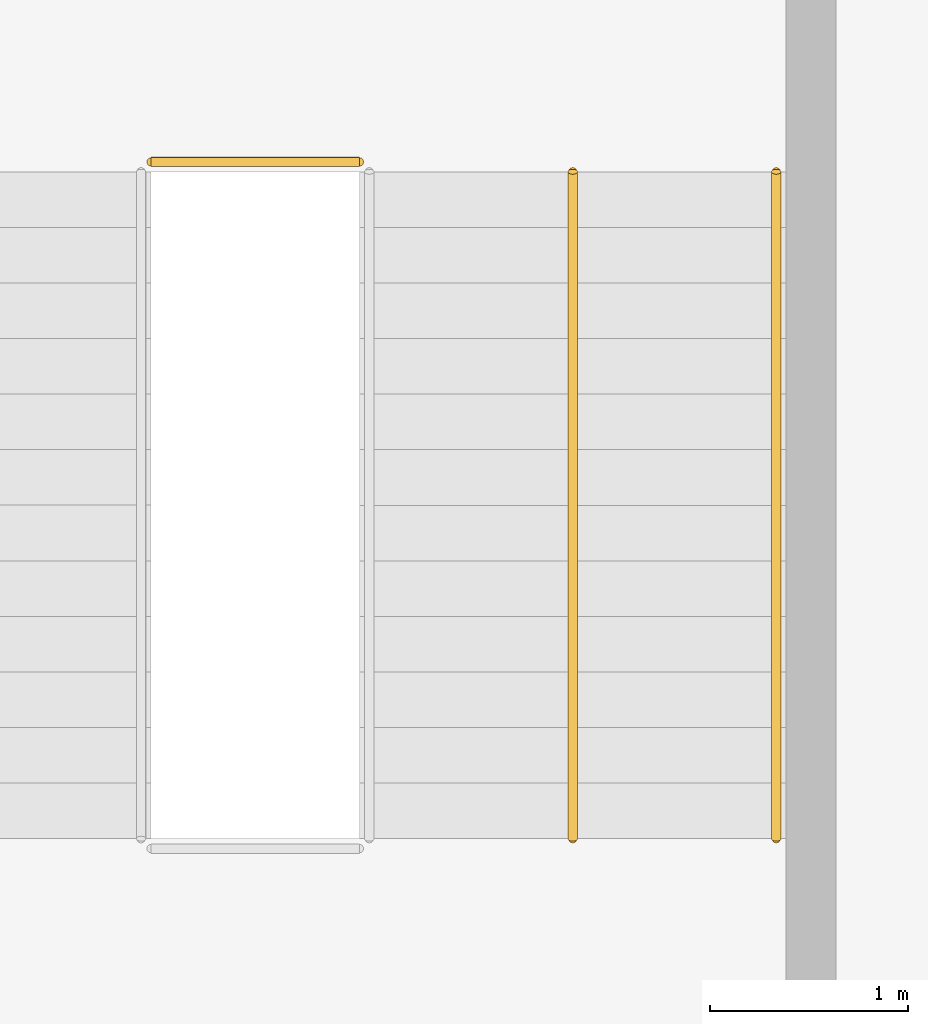
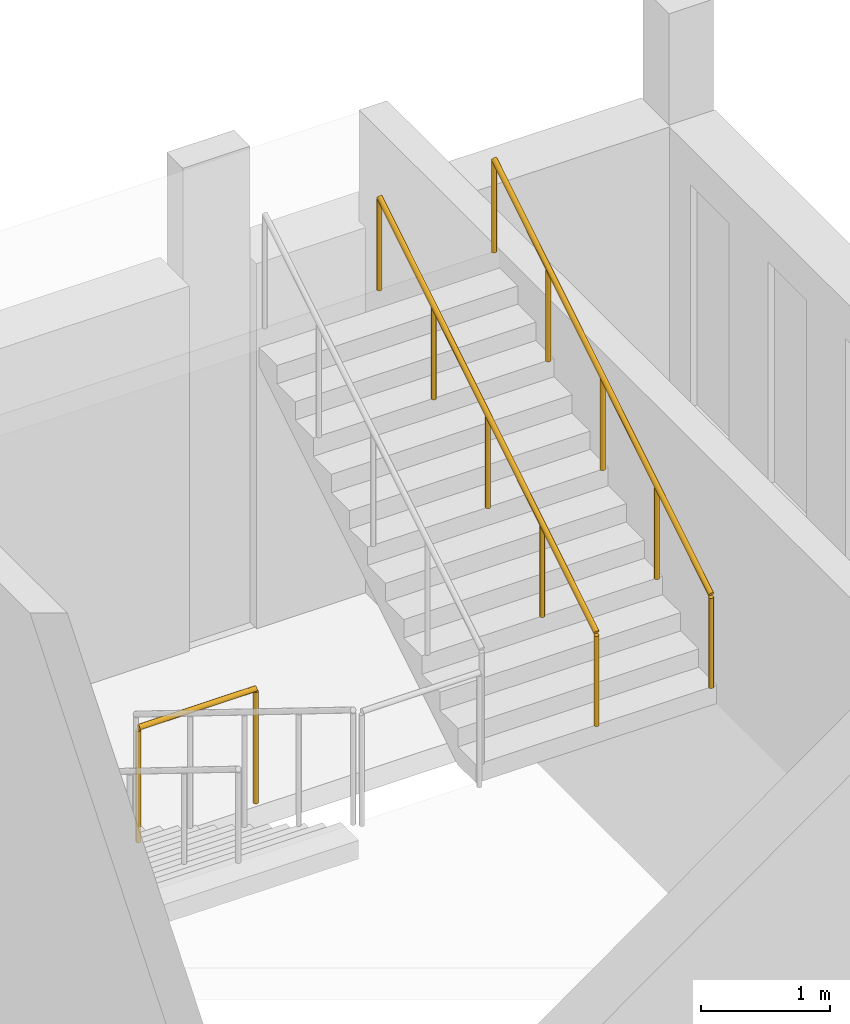
# One storey, part 38 of 38: 3 railings.
"""IFC4 building model written with IfcOpenShell, lengths in metres."""

from ifc_helpers import new_model, si_unit, direction, frame, origin, origin_2d, place, context, subcontext, project, spatial, circle, extrude, material, type_object, element, save


model = new_model("IFC4")

# Units and contexts
model_context = context("Model", 3, precision=1e-05, world=origin(), true_north=direction((0.0, 1.0)))
body_context = subcontext(model_context, "Body", "Model", "MODEL_VIEW")
ifc_project = project(units=[si_unit("LENGTHUNIT", "METRE"), si_unit("AREAUNIT", "SQUARE_METRE"), si_unit("VOLUMEUNIT", "CUBIC_METRE"), si_unit("PLANEANGLEUNIT", "RADIAN"), si_unit("MASSUNIT", "GRAM", prefix="KILO")], contexts=[model_context])

# Site, building, storey
site_placement = place(None, origin())
site = spatial("IfcSite", under=ifc_project, at=site_placement, CompositionType="ELEMENT")
building_placement = place(site_placement, origin())
building = spatial("IfcBuilding", under=site, at=building_placement, Name="Fescue Hill Polytechnic", CompositionType="ELEMENT")
storey_placement = place(building_placement, frame((0.0, 0.0, 18.0)))
storey = spatial("IfcBuildingStorey", under=building, at=storey_placement, Name="L04", CompositionType="ELEMENT", Elevation=18.0)

# Railings
ifc_material = material(Name="Steel 350W (350 MPa)", Category="steel")
railing_type_1 = type_object("IfcRailingType", Name="Stair guard steel 1100", PredefinedType="GUARDRAIL", material=ifc_material)
railing_placement = place(storey_placement, frame((111.47509765625, 132.14990234375, 0.0)))
element("IfcRailing", 1, at=railing_placement, inside=storey, type_object=railing_type_1, Name="L04 ST-V4b-2 stair guard 4", PredefinedType="GUARDRAIL", context=body_context, shape_type="SweptSolid", body=[
    extrude(circle(Radius=0.02392578125, at=origin_2d()), frame((0.0, 0.0, 1.076171875), z_axis=(1.0, 0.0, 0.0), x_axis=(0.0, 1.0, 0.0)), (0.0, 0.0, 1.0), 1.0498046875),
    extrude(circle(Radius=0.02099609375, at=origin_2d()), origin(), (0.0, 0.0, 1.0), 1.052001953125),
    extrude(circle(Radius=0.02099609375, at=origin_2d()), frame((1.0498046875, 0.0, 0.0)), (0.0, 0.0, 1.0), 1.052001953125),
])
railing_type_2 = type_object("IfcRailingType", Name="Stair handrail steel 900", PredefinedType="HANDRAIL", material=ifc_material)
for number, where, name in (
    (2, (114.625, 128.739990234375, 2.423095703125), "L04 ST-V4b-2 stair handrail 2"),
    (3, (113.60009765625, 128.739990234375, 2.423095703125), "L04 ST-V4b-2 stair handrail 4"),
):
    element("IfcRailing", number, at=place(storey_placement, frame(where)), inside=storey, type_object=railing_type_2, Name=name, PredefinedType="HANDRAIL", context=body_context, shape_type="SweptSolid", body=[
        extrude(circle(Radius=0.02392578125, at=origin_2d()), frame((0.0, 0.0, 0.8759765625), z_axis=(0.0, 0.850623216509, 0.525775754039), x_axis=(-1.0, 0.0, 0.0)), (0.0, 0.0, 1.0), 3.9501953125),
        extrude(circle(Radius=0.02099609375, at=origin_2d()), origin(), (0.0, 0.0, 1.0), 0.851806640625),
        extrude(circle(Radius=0.02099609375, at=origin_2d()), frame((0.0, 0.840087890625, 0.519287109375)), (0.0, 0.0, 1.0), 0.851806640625),
        extrude(circle(Radius=0.02099609375, at=origin_2d()), frame((0.0, 1.68017578125, 1.03857421875)), (0.0, 0.0, 1.0), 0.851806640625),
        extrude(circle(Radius=0.02099609375, at=origin_2d()), frame((0.0, 2.52001953125, 1.5576171875)), (0.0, 0.0, 1.0), 0.851806640625),
        extrude(circle(Radius=0.02099609375, at=origin_2d()), frame((0.0, 3.360107421875, 2.076904296875)), (0.0, 0.0, 1.0), 0.851806640625),
    ])

save(model, "model.ifc")
